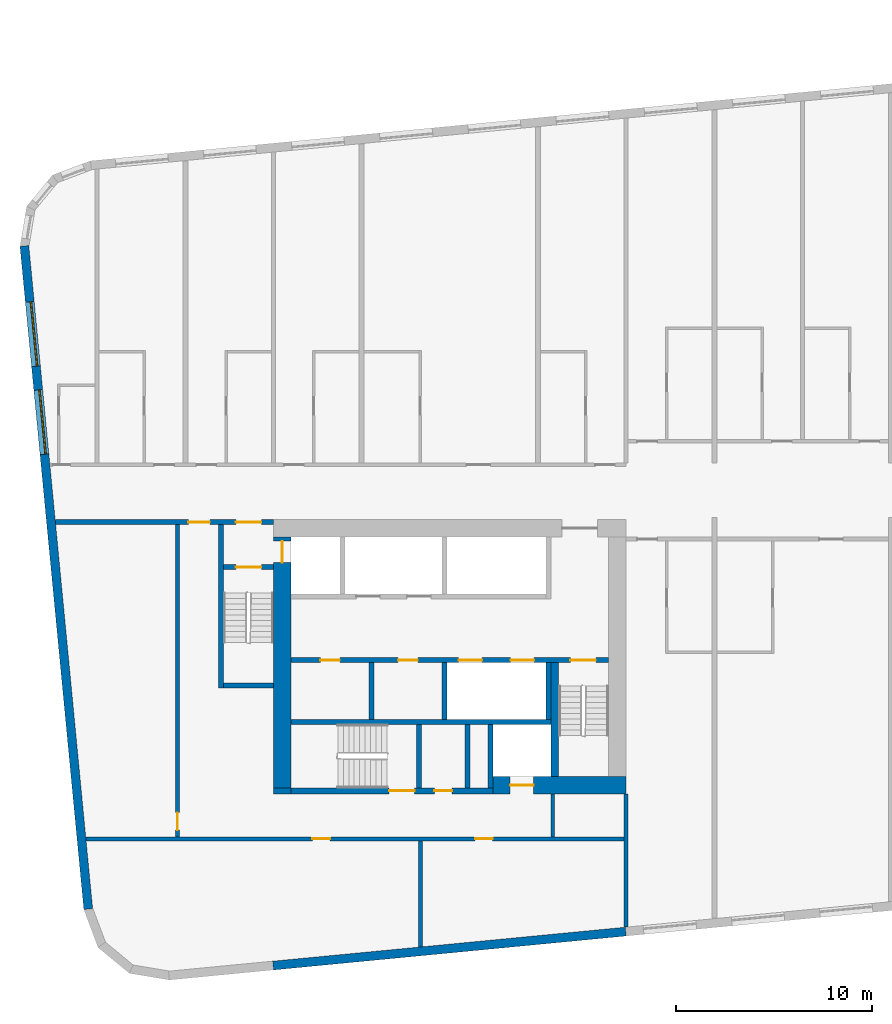
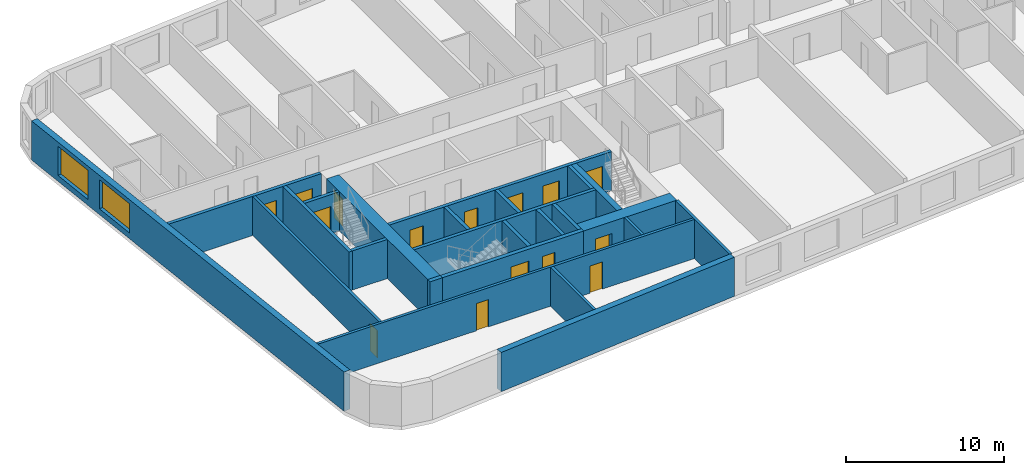
# One storey, part 2 of 12: 24 walls, 15 doors, 2 windows, 17 openings.
"""IFC4 building model written with IfcOpenShell, lengths in metres."""

from ifc_helpers import new_model, si_unit, direction, frame, frame_2d, origin, place, context, subcontext, project, spatial, rectangle, extrude, material, layer, layer_set, type_object, element, fill, save


model = new_model("IFC4")

# Units and contexts
model_context = context("Model", 3, precision=1e-05, world=origin(), true_north=direction((0.0, 1.0)))
body_context = subcontext(model_context, "Body", "Model", "MODEL_VIEW")
ifc_project = project(units=[si_unit("LENGTHUNIT", "METRE"), si_unit("AREAUNIT", "SQUARE_METRE"), si_unit("VOLUMEUNIT", "CUBIC_METRE"), si_unit("PLANEANGLEUNIT", "RADIAN"), si_unit("MASSUNIT", "GRAM", prefix="KILO")], contexts=[model_context])

# Site, building, storey
site_placement = place(None, origin())
site = spatial("IfcSite", under=ifc_project, at=site_placement, CompositionType="ELEMENT")
building_placement = place(site_placement, origin())
building = spatial("IfcBuilding", under=site, at=building_placement, Name="Kajstack Hotel Tower", CompositionType="ELEMENT")
storey_placement = place(building_placement, frame((0.0, 0.0, 170.199951171875)))
storey = spatial("IfcBuildingStorey", under=building, at=storey_placement, Name="L39", CompositionType="ELEMENT", Elevation=170.199951171875)

# Wall, opening, door
ifc_material_1 = material(Name="Concrete C60/75", Category="concrete")
ifc_layer_1 = layer(ifc_material_1, 0.89990234375)
ifc_layer_set_1 = layer_set([ifc_layer_1], Name="Core wall 900")
wall_type_1 = type_object("IfcWallType", Name="Core wall 900", PredefinedType="SHEAR", material=ifc_layer_set_1)
wall_1_placement = place(storey_placement, frame((-20.300048828125, -15.050048828125, 0.0), z_axis=(0.0, 0.0, 1.0), x_axis=(1.0, 0.0, 0.0)))
wall_1 = element("IfcWall", 1, at=wall_1_placement, inside=storey, type_object=wall_type_1, Name="Core wall W RS", PredefinedType="SHEAR", context=body_context, shape_type="SweptSolid", body=[
    extrude(rectangle(XDim=6.800048828125, YDim=0.89990234375, at=frame_2d((3.39990234375, 0.0))), origin(), (0.0, 0.0, 1.0), 3.02001953125),
])
opening_1_placement = place(wall_1_placement, frame((0.875, 0.0, 0.0)))
opening_1 = element("IfcOpeningElement", 2, at=opening_1_placement, cuts=wall_1, Name="Opening LD-SV1", PredefinedType="OPENING", context=body_context, shape_type="SweptSolid", body=[
    extrude(rectangle(XDim=1.199951171875, YDim=2.10009765625, at=frame_2d((0.60009765625, 1.050048828125))), frame((0.0, 0.4599609375, 0.0), z_axis=(0.0, -1.0, 0.0), x_axis=(1.0, 0.0, 0.0)), (0.0, 0.0, 1.0), 0.919921875),
])
ifc_material_2 = material(Name="Stainless steel", Category="steel")
door_type_1 = type_object("IfcDoorType", Name="Lift landing door 1200", OperationType="SLIDING_TO_LEFT", PredefinedType="DOOR", material=ifc_material_2)
door_1_placement = place(opening_1_placement, origin())
door_1 = element("IfcDoor", 3, at=door_1_placement, inside=storey, type_object=door_type_1, Name="Landing door SV1", OperationType="SLIDING_TO_LEFT", OverallHeight=2.10009765625, OverallWidth=1.199951171875, PredefinedType="DOOR", context=body_context, shape_type="SweptSolid", body=[
    extrude(rectangle(XDim=1.199951171875, YDim=2.10009765625, at=frame_2d((0.60009765625, 1.050048828125))), frame((0.0, 0.02490234375, 0.0), z_axis=(0.0, -1.0, 0.0), x_axis=(1.0, 0.0, 0.0)), (0.0, 0.0, 1.0), 0.050048828125),
])
fill(opening_1, door_1)

# Wall
wall_2_placement = place(storey_placement, frame((-31.5, -15.35009765625, 0.0), z_axis=(0.0, 0.0, 1.0), x_axis=(1.0, 0.0, 0.0)))
element("IfcWall", 4, at=wall_2_placement, inside=storey, type_object=wall_type_1, Name="Core wall W RSW", PredefinedType="SHEAR", context=body_context, shape_type="SweptSolid", body=[
    extrude(rectangle(XDim=0.89990234375, YDim=0.300048828125, at=frame_2d((0.449951171875, 0.0))), origin(), (0.0, 0.0, 1.0), 3.02001953125),
])

# Wall, opening, door
wall_3_placement = place(storey_placement, frame((-31.050048828125, -15.199951171875, 0.0), z_axis=(0.0, 0.0, 1.0), x_axis=(0.0, 1.0, 0.0)))
wall_3 = element("IfcWall", 5, at=wall_3_placement, inside=storey, type_object=wall_type_1, Name="Core wall W RW", PredefinedType="SHEAR", context=body_context, shape_type="SweptSolid", body=[
    extrude(rectangle(XDim=12.800048828125, YDim=0.89990234375, at=frame_2d((6.39990234375, 0.0))), origin(), (0.0, 0.0, 1.0), 3.02001953125),
])
opening_2_placement = place(wall_3_placement, frame((11.5, 0.0, 0.0)))
opening_2 = element("IfcOpeningElement", 6, at=opening_2_placement, cuts=wall_3, Name="Opening LD-FF1", PredefinedType="OPENING", context=body_context, shape_type="SweptSolid", body=[
    extrude(rectangle(XDim=1.10009765625, YDim=2.10009765625, at=frame_2d((0.550048828125, 1.050048828125))), frame((0.0, 0.4599609375, 0.0), z_axis=(0.0, -1.0, 0.0), x_axis=(1.0, 0.0, 0.0)), (0.0, 0.0, 1.0), 0.919921875),
])
door_type_2 = type_object("IfcDoorType", Name="Fire-fighting lift landing door 1100", OperationType="SLIDING_TO_LEFT", PredefinedType="DOOR", material=ifc_material_2)
door_2_placement = place(opening_2_placement, origin())
door_2 = element("IfcDoor", 7, at=door_2_placement, inside=storey, type_object=door_type_2, Name="Landing door FF1", OperationType="SLIDING_TO_RIGHT", OverallHeight=2.10009765625, OverallWidth=1.10009765625, PredefinedType="DOOR", context=body_context, shape_type="SweptSolid", body=[
    extrude(rectangle(XDim=1.10009765625, YDim=2.10009765625, at=frame_2d((0.550048828125, 1.050048828125))), frame((0.0, 0.02490234375, 0.0), z_axis=(0.0, -1.0, 0.0), x_axis=(1.0, 0.0, 0.0)), (0.0, 0.0, 1.0), 0.050048828125),
])
fill(opening_2, door_2)

# Walls
ifc_material_3 = material(Name="Twin-frame gypsum board on steel studs, mineral wool", Category="steel")
ifc_layer_2 = layer(ifc_material_3, 0.199951171875)
ifc_layer_set_2 = layer_set([ifc_layer_2], Name="Demising wall 200")
wall_type_2 = type_object("IfcWallType", Name="Demising wall 200", PredefinedType="PARTITIONING", material=ifc_layer_set_2)
wall_4_placement = place(storey_placement, frame((-13.5, -22.300048828125, 0.0), z_axis=(0.0, 0.0, 1.0), x_axis=(0.0, 1.0, 0.0)))
element("IfcWall", 8, at=wall_4_placement, inside=storey, type_object=wall_type_2, Name="G-wall-L39-002", PredefinedType="PARTITIONING", context=body_context, shape_type="SweptSolid", body=[
    extrude(rectangle(XDim=6.800048828125, YDim=0.199951171875, at=frame_2d((3.39990234375, 0.0))), origin(), (0.0, 0.0, 1.0), 3.02001953125),
])
ifc_material_4 = material(Name="Concrete C40/50", Category="concrete")
ifc_layer_3 = layer(ifc_material_4, 0.449951171875)
ifc_layer_set_3 = layer_set([ifc_layer_3], Name="EW-CORE")
wall_type_3 = type_object("IfcWallType", Name="EW-CORE", PredefinedType="SOLIDWALL", material=ifc_layer_set_3)
wall_5_placement = place(storey_placement, frame((-31.521484375, -24.26171875, 0.0), z_axis=(0.0, 0.0, 1.0), x_axis=(0.995396454615, 0.095843091245, 0.0)))
element("IfcWall", 9, at=wall_5_placement, inside=storey, type_object=wall_type_3, Name="E-wall-L39-04-01", PredefinedType="SOLIDWALL", context=body_context, shape_type="SweptSolid", body=[
    extrude(rectangle(XDim=18.083251953125, YDim=0.449951171875, at=frame_2d((9.04150390625, 0.0))), origin(), (0.0, 0.0, 1.0), 3.02001953125),
])

# Wall, openings, windows
ifc_material_5 = material(Name="Terracotta-faced brick masonry", Category="masonry")
ifc_layer_4 = layer(ifc_material_5, 0.449951171875)
ifc_layer_set_4 = layer_set([ifc_layer_4], Name="EW-TERRA")
wall_type_4 = type_object("IfcWallType", Name="EW-TERRA", PredefinedType="SOLIDWALL", material=ifc_layer_set_4)
wall_6_placement = place(storey_placement, frame((-44.21435546875, 12.465576171875, 0.0), z_axis=(0.0, 0.0, 1.0), x_axis=(0.095847314626, -0.995396047952, 0.0)))
wall_6 = element("IfcWall", 10, at=wall_6_placement, inside=storey, type_object=wall_type_4, Name="E-wall-L39-00-00", PredefinedType="SOLIDWALL", context=body_context, shape_type="SweptSolid", body=[
    extrude(rectangle(XDim=33.999755859375, YDim=0.449951171875, at=frame_2d((17.0, 0.0))), origin(), (0.0, 0.0, 1.0), 3.02001953125),
])
opening_3_placement = place(wall_6_placement, frame((2.864990234375, 0.0, 0.449951171875)))
opening_3 = element("IfcOpeningElement", 11, at=opening_3_placement, cuts=wall_6, Name="Opening W2", PredefinedType="OPENING", context=body_context, shape_type="SweptSolid", body=[
    extrude(rectangle(XDim=3.300048828125, YDim=2.25, at=frame_2d((1.64990234375, 1.125))), frame((0.0, 0.23486328125, 0.0), z_axis=(0.0, -1.0, 0.0), x_axis=(1.0, 0.0, 0.0)), (0.0, 0.0, 1.0), 0.469970703125),
])
opening_4_placement = place(wall_6_placement, frame((7.3857421875, 0.0, 0.449951171875)))
opening_4 = element("IfcOpeningElement", 12, at=opening_4_placement, cuts=wall_6, Name="Opening W2", PredefinedType="OPENING", context=body_context, shape_type="SweptSolid", body=[
    extrude(rectangle(XDim=3.300048828125, YDim=2.25, at=frame_2d((1.64990234375, 1.125))), frame((0.0, 0.23486328125, 0.0), z_axis=(0.0, -1.0, 0.0), x_axis=(1.0, 0.0, 0.0)), (0.0, 0.0, 1.0), 0.469970703125),
])
ifc_material_6 = material(Name="Timber-aluminium window, triple glazed", Category="wood")
window_type = type_object("IfcWindowType", Name="WG2", PartitioningType="SINGLE_PANEL", PredefinedType="WINDOW", material=ifc_material_6)
window_1_placement = place(opening_3_placement, origin())
window_1 = element("IfcWindow", 13, at=window_1_placement, inside=storey, type_object=window_type, Name="Window W2 L39-00", OverallHeight=2.25, OverallWidth=3.300048828125, PartitioningType="SINGLE_PANEL", PredefinedType="WINDOW", context=body_context, shape_type="SweptSolid", body=[
    extrude(rectangle(XDim=3.300048828125, YDim=2.25, at=frame_2d((1.64990234375, 1.125))), frame((0.0, 0.090087890625, 0.0), z_axis=(0.0, -1.0, 0.0), x_axis=(1.0, 0.0, 0.0)), (0.0, 0.0, 1.0), 0.06005859375),
])
fill(opening_3, window_1)
window_2_placement = place(opening_4_placement, origin())
window_2 = element("IfcWindow", 14, at=window_2_placement, inside=storey, type_object=window_type, Name="Window W2 L39-00", OverallHeight=2.25, OverallWidth=3.300048828125, PartitioningType="SINGLE_PANEL", PredefinedType="WINDOW", context=body_context, shape_type="SweptSolid", body=[
    extrude(rectangle(XDim=3.300048828125, YDim=2.25, at=frame_2d((1.64990234375, 1.125))), frame((0.0, 0.090087890625, 0.0), z_axis=(0.0, -1.0, 0.0), x_axis=(1.0, 0.0, 0.0)), (0.0, 0.0, 1.0), 0.06005859375),
])
fill(opening_4, window_2)

# Walls
ifc_material_7 = material(Name="Concrete C50/60", Category="concrete")
ifc_layer_5 = layer(ifc_material_7, 0.300048828125)
ifc_layer_set_5 = layer_set([ifc_layer_5], Name="Hoistway divider wall 300")
wall_type_5 = type_object("IfcWallType", Name="Hoistway divider wall 300", PredefinedType="SHEAR", material=ifc_layer_set_5)
wall_7_placement = place(storey_placement, frame((-22.77490234375, -11.699951171875, 0.0), z_axis=(0.0, 0.0, 1.0), x_axis=(0.0, 1.0, 0.0)))
element("IfcWall", 15, at=wall_7_placement, inside=storey, type_object=wall_type_5, Name="Core wall W BP2", PredefinedType="SHEAR", context=body_context, shape_type="SweptSolid", body=[
    extrude(rectangle(XDim=2.89990234375, YDim=0.25, at=frame_2d((1.449951171875, 0.0))), origin(), (0.0, 0.0, 1.0), 3.02001953125),
])
ifc_material_8 = material(Name="Concrete block masonry", Category="masonry")
ifc_layer_6 = layer(ifc_material_8, 0.25)
ifc_layer_set_6 = layer_set([ifc_layer_6], Name="Riser partition 250")
wall_type_6 = type_object("IfcWallType", Name="Riser partition 250", PredefinedType="PARTITIONING", material=ifc_layer_set_6)
wall_8_placement = place(storey_placement, frame((-26.5, -11.699951171875, 0.0), z_axis=(0.0, 0.0, 1.0), x_axis=(0.0, 1.0, 0.0)))
element("IfcWall", 16, at=wall_8_placement, inside=storey, type_object=wall_type_6, Name="Partition W BF0", PredefinedType="PARTITIONING", context=body_context, shape_type="SweptSolid", body=[
    extrude(rectangle(XDim=2.89990234375, YDim=0.25, at=frame_2d((1.449951171875, 0.0))), origin(), (0.0, 0.0, 1.0), 3.02001953125),
])
wall_9_placement = place(storey_placement, frame((-21.60009765625, -15.199951171875, 0.0), z_axis=(0.0, 0.0, 1.0), x_axis=(0.0, 1.0, 0.0)))
element("IfcWall", 17, at=wall_9_placement, inside=storey, type_object=wall_type_6, Name="Partition W SZ0", PredefinedType="PARTITIONING", context=body_context, shape_type="SweptSolid", body=[
    extrude(rectangle(XDim=3.25, YDim=0.25, at=frame_2d((1.625, 0.0))), origin(), (0.0, 0.0, 1.0), 3.02001953125),
])

# Wall, openings, doors
ifc_material_9 = material(Name="Gypsum board on steel studs, mineral wool", Category="steel")
ifc_layer_7 = layer(ifc_material_9, 0.199951171875)
ifc_layer_set_7 = layer_set([ifc_layer_7], Name="Service partition 200")
wall_type_7 = type_object("IfcWallType", Name="Service partition 200", PredefinedType="PARTITIONING", material=ifc_layer_set_7)
wall_10_placement = place(storey_placement, frame((-42.631591796875, -1.625, 0.0), z_axis=(0.0, 0.0, 1.0), x_axis=(1.0, 0.0, 0.0)))
wall_10 = element("IfcWall", 18, at=wall_10_placement, inside=storey, type_object=wall_type_7, Name="Partition W SN", PredefinedType="PARTITIONING", context=body_context, shape_type="SweptSolid", body=[
    extrude(rectangle(XDim=11.131591796875, YDim=0.25, at=frame_2d((5.56591796875, 0.0))), origin(), (0.0, 0.0, 1.0), 3.02001953125),
])
opening_5_placement = place(wall_10_placement, frame((9.20654296875, 0.0, 0.0)))
opening_5 = element("IfcOpeningElement", 19, at=opening_5_placement, cuts=wall_10, Name="Opening 39W08", PredefinedType="OPENING", context=body_context, shape_type="SweptSolid", body=[
    extrude(rectangle(XDim=1.300048828125, YDim=2.10009765625, at=frame_2d((0.64990234375, 1.050048828125))), frame((0.0, 0.135009765625, 0.0), z_axis=(0.0, -1.0, 0.0), x_axis=(1.0, 0.0, 0.0)), (0.0, 0.0, 1.0), 0.27001953125),
])
opening_6_placement = place(wall_10_placement, frame((6.781494140625, 0.0, 0.0)))
opening_6 = element("IfcOpeningElement", 20, at=opening_6_placement, cuts=wall_10, Name="Opening 39W10", PredefinedType="OPENING", context=body_context, shape_type="SweptSolid", body=[
    extrude(rectangle(XDim=1.10009765625, YDim=2.10009765625, at=frame_2d((0.550048828125, 1.050048828125))), frame((0.0, 0.135009765625, 0.0), z_axis=(0.0, -1.0, 0.0), x_axis=(1.0, 0.0, 0.0)), (0.0, 0.0, 1.0), 0.27001953125),
])
ifc_material_10 = material(Name="Steel leaf, fire-rated", Category="steel")
door_type_3 = type_object("IfcDoorType", Name="Fire lobby door 1300", OperationType="SINGLE_SWING_LEFT", PredefinedType="DOOR", material=ifc_material_10)
door_3_placement = place(opening_5_placement, origin())
door_3 = element("IfcDoor", 21, at=door_3_placement, inside=storey, type_object=door_type_3, Name="Door 39W08", OperationType="SINGLE_SWING_RIGHT", OverallHeight=2.10009765625, OverallWidth=1.300048828125, PredefinedType="DOOR", context=body_context, shape_type="SweptSolid", body=[
    extrude(rectangle(XDim=1.300048828125, YDim=2.10009765625, at=frame_2d((0.64990234375, 1.050048828125))), frame((0.0, 0.02490234375, 0.0), z_axis=(0.0, -1.0, 0.0), x_axis=(1.0, 0.0, 0.0)), (0.0, 0.0, 1.0), 0.050048828125),
])
fill(opening_5, door_3)
ifc_material_11 = material(Name="Timber leaf, fire-rated", Category="wood")
door_type_4 = type_object("IfcDoorType", Name="Service corridor door 1100", OperationType="SINGLE_SWING_LEFT", PredefinedType="DOOR", material=ifc_material_11)
door_4_placement = place(opening_6_placement, origin())
door_4 = element("IfcDoor", 22, at=door_4_placement, inside=storey, type_object=door_type_4, Name="Door 39W10", OperationType="SINGLE_SWING_RIGHT", OverallHeight=2.10009765625, OverallWidth=1.10009765625, PredefinedType="DOOR", context=body_context, shape_type="SweptSolid", body=[
    extrude(rectangle(XDim=1.10009765625, YDim=2.10009765625, at=frame_2d((0.550048828125, 1.050048828125))), frame((0.0, 0.02490234375, 0.0), z_axis=(0.0, -1.0, 0.0), x_axis=(1.0, 0.0, 0.0)), (0.0, 0.0, 1.0), 0.050048828125),
])
fill(opening_6, door_4)

# Wall
wall_11_placement = place(storey_placement, frame((-17.25, -17.699951171875, 0.0), z_axis=(0.0, 0.0, 1.0), x_axis=(0.0, 1.0, 0.0)))
element("IfcWall", 23, at=wall_11_placement, inside=storey, type_object=wall_type_7, Name="Partition W SCE", PredefinedType="PARTITIONING", context=body_context, shape_type="SweptSolid", body=[
    extrude(rectangle(XDim=2.199951171875, YDim=0.199951171875, at=frame_2d((1.10009765625, 0.0))), origin(), (0.0, 0.0, 1.0), 3.02001953125),
])

# Wall, opening, door
wall_12_placement = place(storey_placement, frame((-36.39990234375, -17.699951171875, 0.0), z_axis=(0.0, 0.0, 1.0), x_axis=(0.0, 1.0, 0.0)))
wall_12 = element("IfcWall", 24, at=wall_12_placement, inside=storey, type_object=wall_type_7, Name="Partition W WRE", PredefinedType="PARTITIONING", context=body_context, shape_type="SweptSolid", body=[
    extrude(rectangle(XDim=15.949951171875, YDim=0.199951171875, at=frame_2d((7.97509765625, 0.0))), origin(), (0.0, 0.0, 1.0), 3.02001953125),
])
opening_7_placement = place(wall_12_placement, frame((0.35009765625, 0.0, 0.0)))
opening_7 = element("IfcOpeningElement", 25, at=opening_7_placement, cuts=wall_12, Name="Opening 39W18", PredefinedType="OPENING", context=body_context, shape_type="SweptSolid", body=[
    extrude(rectangle(XDim=0.89990234375, YDim=2.10009765625, at=frame_2d((0.449951171875, 1.050048828125))), frame((0.0, 0.10986328125, 0.0), z_axis=(0.0, -1.0, 0.0), x_axis=(1.0, 0.0, 0.0)), (0.0, 0.0, 1.0), 0.219970703125),
])
door_type_5 = type_object("IfcDoorType", Name="Service door 900", OperationType="SINGLE_SWING_LEFT", PredefinedType="DOOR", material=ifc_material_11)
door_5_placement = place(opening_7_placement, origin())
door_5 = element("IfcDoor", 26, at=door_5_placement, inside=storey, type_object=door_type_5, Name="Door 39W18", OperationType="SINGLE_SWING_LEFT", OverallHeight=2.10009765625, OverallWidth=0.89990234375, PredefinedType="DOOR", context=body_context, shape_type="SweptSolid", body=[
    extrude(rectangle(XDim=0.89990234375, YDim=2.10009765625, at=frame_2d((0.449951171875, 1.050048828125))), frame((0.0, 0.02490234375, 0.0), z_axis=(0.0, -1.0, 0.0), x_axis=(1.0, 0.0, 0.0)), (0.0, 0.0, 1.0), 0.050048828125),
])
fill(opening_7, door_5)

# Wall, openings, doors
wall_13_placement = place(storey_placement, frame((-41.07421875, -17.800048828125, 0.0), z_axis=(0.0, 0.0, 1.0), x_axis=(1.0, 0.0, 0.0)))
wall_13 = element("IfcWall", 27, at=wall_13_placement, inside=storey, type_object=wall_type_7, Name="Partition W SLN", PredefinedType="PARTITIONING", context=body_context, shape_type="SweptSolid", body=[
    extrude(rectangle(XDim=27.47412109375, YDim=0.199951171875, at=frame_2d((13.737060546875, 0.0))), origin(), (0.0, 0.0, 1.0), 3.02001953125),
])
opening_8_placement = place(wall_13_placement, frame((11.5615234375, 0.0, 0.0)))
opening_8 = element("IfcOpeningElement", 28, at=opening_8_placement, cuts=wall_13, Name="Opening 39W16", PredefinedType="OPENING", context=body_context, shape_type="SweptSolid", body=[
    extrude(rectangle(XDim=0.89990234375, YDim=2.10009765625, at=frame_2d((0.449951171875, 1.050048828125))), frame((0.0, 0.10986328125, 0.0), z_axis=(0.0, -1.0, 0.0), x_axis=(1.0, 0.0, 0.0)), (0.0, 0.0, 1.0), 0.219970703125),
])
opening_9_placement = place(wall_13_placement, frame((19.861572265625, 0.0, 0.0)))
opening_9 = element("IfcOpeningElement", 29, at=opening_9_placement, cuts=wall_13, Name="Opening 39W17", PredefinedType="OPENING", context=body_context, shape_type="SweptSolid", body=[
    extrude(rectangle(XDim=0.89990234375, YDim=2.10009765625, at=frame_2d((0.449951171875, 1.050048828125))), frame((0.0, 0.10986328125, 0.0), z_axis=(0.0, -1.0, 0.0), x_axis=(1.0, 0.0, 0.0)), (0.0, 0.0, 1.0), 0.219970703125),
])
door_6_placement = place(opening_8_placement, origin())
door_6 = element("IfcDoor", 30, at=door_6_placement, inside=storey, type_object=door_type_5, Name="Door 39W16", OperationType="SINGLE_SWING_RIGHT", OverallHeight=2.10009765625, OverallWidth=0.89990234375, PredefinedType="DOOR", context=body_context, shape_type="SweptSolid", body=[
    extrude(rectangle(XDim=0.89990234375, YDim=2.10009765625, at=frame_2d((0.449951171875, 1.050048828125))), frame((0.0, 0.02490234375, 0.0), z_axis=(0.0, -1.0, 0.0), x_axis=(1.0, 0.0, 0.0)), (0.0, 0.0, 1.0), 0.050048828125),
])
fill(opening_8, door_6)
door_7_placement = place(opening_9_placement, origin())
door_7 = element("IfcDoor", 31, at=door_7_placement, inside=storey, type_object=door_type_5, Name="Door 39W17", OperationType="SINGLE_SWING_RIGHT", OverallHeight=2.10009765625, OverallWidth=0.89990234375, PredefinedType="DOOR", context=body_context, shape_type="SweptSolid", body=[
    extrude(rectangle(XDim=0.89990234375, YDim=2.10009765625, at=frame_2d((0.449951171875, 1.050048828125))), frame((0.0, 0.02490234375, 0.0), z_axis=(0.0, -1.0, 0.0), x_axis=(1.0, 0.0, 0.0)), (0.0, 0.0, 1.0), 0.050048828125),
])
fill(opening_9, door_7)

# Wall
wall_14_placement = place(storey_placement, frame((-24.0, -23.3125, 0.0), z_axis=(0.0, 0.0, 1.0), x_axis=(0.0, 1.0, 0.0)))
element("IfcWall", 32, at=wall_14_placement, inside=storey, type_object=wall_type_7, Name="Partition W SLP0", PredefinedType="PARTITIONING", context=body_context, shape_type="SweptSolid", body=[
    extrude(rectangle(XDim=5.41259765625, YDim=0.199951171875, at=frame_2d((2.706298828125, 0.0))), origin(), (0.0, 0.0, 1.0), 3.02001953125),
])

# Wall, openings, doors
ifc_layer_8 = layer(ifc_material_7, 0.25)
ifc_layer_set_8 = layer_set([ifc_layer_8], Name="Shaft wall 250")
wall_type_8 = type_object("IfcWallType", Name="Shaft wall 250", PredefinedType="SHEAR", material=ifc_layer_set_8)
wall_15_placement = place(storey_placement, frame((-30.60009765625, -15.35009765625, 0.0), z_axis=(0.0, 0.0, 1.0), x_axis=(1.0, 0.0, 0.0)))
wall_15 = element("IfcWall", 33, at=wall_15_placement, inside=storey, type_object=wall_type_8, Name="Core wall W RSS", PredefinedType="SHEAR", context=body_context, shape_type="SweptSolid", body=[
    extrude(rectangle(XDim=10.300048828125, YDim=0.300048828125, at=frame_2d((5.14990234375, 0.0))), origin(), (0.0, 0.0, 1.0), 3.02001953125),
])
opening_10_placement = place(wall_15_placement, frame((5.0, 0.0, 0.0)))
opening_10 = element("IfcOpeningElement", 34, at=opening_10_placement, cuts=wall_15, Name="Opening 39W12", PredefinedType="OPENING", context=body_context, shape_type="SweptSolid", body=[
    extrude(rectangle(XDim=1.300048828125, YDim=2.10009765625, at=frame_2d((0.64990234375, 1.050048828125))), frame((0.0, 0.159912109375, 0.0), z_axis=(0.0, -1.0, 0.0), x_axis=(1.0, 0.0, 0.0)), (0.0, 0.0, 1.0), 0.320068359375),
])
opening_11_placement = place(wall_15_placement, frame((7.3125, 0.0, 0.0)))
opening_11 = element("IfcOpeningElement", 35, at=opening_11_placement, cuts=wall_15, Name="Opening 39W13", PredefinedType="OPENING", context=body_context, shape_type="SweptSolid", body=[
    extrude(rectangle(XDim=0.89990234375, YDim=2.10009765625, at=frame_2d((0.449951171875, 1.050048828125))), frame((0.0, 0.159912109375, 0.0), z_axis=(0.0, -1.0, 0.0), x_axis=(1.0, 0.0, 0.0)), (0.0, 0.0, 1.0), 0.320068359375),
])
door_8_placement = place(opening_11_placement, origin())
door_8 = element("IfcDoor", 36, at=door_8_placement, inside=storey, type_object=door_type_5, Name="Door 39W13", OperationType="SINGLE_SWING_LEFT", OverallHeight=2.10009765625, OverallWidth=0.89990234375, PredefinedType="DOOR", context=body_context, shape_type="SweptSolid", body=[
    extrude(rectangle(XDim=0.89990234375, YDim=2.10009765625, at=frame_2d((0.449951171875, 1.050048828125))), frame((0.0, 0.02490234375, 0.0), z_axis=(0.0, -1.0, 0.0), x_axis=(1.0, 0.0, 0.0)), (0.0, 0.0, 1.0), 0.050048828125),
])
fill(opening_11, door_8)
door_type_6 = type_object("IfcDoorType", Name="Stair door 1300", OperationType="SINGLE_SWING_LEFT", PredefinedType="DOOR", material=ifc_material_10)
door_9_placement = place(opening_10_placement, origin())
door_9 = element("IfcDoor", 37, at=door_9_placement, inside=storey, type_object=door_type_6, Name="Door 39W12", OperationType="SINGLE_SWING_RIGHT", OverallHeight=2.10009765625, OverallWidth=1.300048828125, PredefinedType="DOOR", context=body_context, shape_type="SweptSolid", body=[
    extrude(rectangle(XDim=1.300048828125, YDim=2.10009765625, at=frame_2d((0.64990234375, 1.050048828125))), frame((0.0, 0.02490234375, 0.0), z_axis=(0.0, -1.0, 0.0), x_axis=(1.0, 0.0, 0.0)), (0.0, 0.0, 1.0), 0.050048828125),
])
fill(opening_10, door_9)

wall_16_placement = place(storey_placement, frame((-30.60009765625, -8.675048828125, 0.0), z_axis=(0.0, 0.0, 1.0), x_axis=(1.0, 0.0, 0.0)))
wall_16 = element("IfcWall", 38, at=wall_16_placement, inside=storey, type_object=wall_type_8, Name="Core wall W FB", PredefinedType="SHEAR", context=body_context, shape_type="SweptSolid", body=[
    extrude(rectangle(XDim=16.2001953125, YDim=0.25, at=frame_2d((8.10009765625, 0.0))), origin(), (0.0, 0.0, 1.0), 3.02001953125),
])
opening_12_placement = place(wall_16_placement, frame((8.550048828125, 0.0, 0.0)))
opening_12 = element("IfcOpeningElement", 39, at=opening_12_placement, cuts=wall_16, Name="Opening LD-MR1", PredefinedType="OPENING", context=body_context, shape_type="SweptSolid", body=[
    extrude(rectangle(XDim=1.199951171875, YDim=2.10009765625, at=frame_2d((0.60009765625, 1.050048828125))), frame((0.0, 0.135009765625, 0.0), z_axis=(0.0, -1.0, 0.0), x_axis=(1.0, 0.0, 0.0)), (0.0, 0.0, 1.0), 0.27001953125),
])
opening_13_placement = place(wall_16_placement, frame((11.199951171875, 0.0, 0.0)))
opening_13 = element("IfcOpeningElement", 40, at=opening_13_placement, cuts=wall_16, Name="Opening LD-MR2", PredefinedType="OPENING", context=body_context, shape_type="SweptSolid", body=[
    extrude(rectangle(XDim=1.199951171875, YDim=2.10009765625, at=frame_2d((0.60009765625, 1.050048828125))), frame((0.0, 0.135009765625, 0.0), z_axis=(0.0, -1.0, 0.0), x_axis=(1.0, 0.0, 0.0)), (0.0, 0.0, 1.0), 0.27001953125),
])
opening_14_placement = place(wall_16_placement, frame((14.25, 0.0, 0.0)))
opening_14 = element("IfcOpeningElement", 41, at=opening_14_placement, cuts=wall_16, Name="Opening 39W11", PredefinedType="OPENING", context=body_context, shape_type="SweptSolid", body=[
    extrude(rectangle(XDim=1.300048828125, YDim=2.10009765625, at=frame_2d((0.64990234375, 1.050048828125))), frame((0.0, 0.135009765625, 0.0), z_axis=(0.0, -1.0, 0.0), x_axis=(1.0, 0.0, 0.0)), (0.0, 0.0, 1.0), 0.27001953125),
])
opening_15_placement = place(wall_16_placement, frame((1.487548828125, 0.0, 0.0)))
opening_15 = element("IfcOpeningElement", 42, at=opening_15_placement, cuts=wall_16, Name="Opening 39W14", PredefinedType="OPENING", context=body_context, shape_type="SweptSolid", body=[
    extrude(rectangle(XDim=1.0, YDim=2.10009765625, at=frame_2d((0.5, 1.050048828125))), frame((0.0, 0.135009765625, 0.0), z_axis=(0.0, -1.0, 0.0), x_axis=(1.0, 0.0, 0.0)), (0.0, 0.0, 1.0), 0.27001953125),
])
opening_16_placement = place(wall_16_placement, frame((5.46240234375, 0.0, 0.0)))
opening_16 = element("IfcOpeningElement", 43, at=opening_16_placement, cuts=wall_16, Name="Opening 39W15", PredefinedType="OPENING", context=body_context, shape_type="SweptSolid", body=[
    extrude(rectangle(XDim=1.0, YDim=2.10009765625, at=frame_2d((0.5, 1.050048828125))), frame((0.0, 0.135009765625, 0.0), z_axis=(0.0, -1.0, 0.0), x_axis=(1.0, 0.0, 0.0)), (0.0, 0.0, 1.0), 0.27001953125),
])
door_10_placement = place(opening_12_placement, origin())
door_10 = element("IfcDoor", 44, at=door_10_placement, inside=storey, type_object=door_type_1, Name="Landing door MR1", OperationType="SLIDING_TO_LEFT", OverallHeight=2.10009765625, OverallWidth=1.199951171875, PredefinedType="DOOR", context=body_context, shape_type="SweptSolid", body=[
    extrude(rectangle(XDim=1.199951171875, YDim=2.10009765625, at=frame_2d((0.60009765625, 1.050048828125))), frame((0.0, 0.02490234375, 0.0), z_axis=(0.0, -1.0, 0.0), x_axis=(1.0, 0.0, 0.0)), (0.0, 0.0, 1.0), 0.050048828125),
])
fill(opening_12, door_10)
door_11_placement = place(opening_13_placement, origin())
door_11 = element("IfcDoor", 45, at=door_11_placement, inside=storey, type_object=door_type_1, Name="Landing door MR2", OperationType="SLIDING_TO_RIGHT", OverallHeight=2.10009765625, OverallWidth=1.199951171875, PredefinedType="DOOR", context=body_context, shape_type="SweptSolid", body=[
    extrude(rectangle(XDim=1.199951171875, YDim=2.10009765625, at=frame_2d((0.60009765625, 1.050048828125))), frame((0.0, 0.02490234375, 0.0), z_axis=(0.0, -1.0, 0.0), x_axis=(1.0, 0.0, 0.0)), (0.0, 0.0, 1.0), 0.050048828125),
])
fill(opening_13, door_11)
door_type_7 = type_object("IfcDoorType", Name="Service room door 1000", OperationType="SINGLE_SWING_LEFT", PredefinedType="DOOR", material=ifc_material_11)
door_12_placement = place(opening_15_placement, origin())
door_12 = element("IfcDoor", 46, at=door_12_placement, inside=storey, type_object=door_type_7, Name="Door 39W14", OperationType="SINGLE_SWING_RIGHT", OverallHeight=2.10009765625, OverallWidth=1.0, PredefinedType="DOOR", context=body_context, shape_type="SweptSolid", body=[
    extrude(rectangle(XDim=1.0, YDim=2.10009765625, at=frame_2d((0.5, 1.050048828125))), frame((0.0, 0.02490234375, 0.0), z_axis=(0.0, -1.0, 0.0), x_axis=(1.0, 0.0, 0.0)), (0.0, 0.0, 1.0), 0.050048828125),
])
fill(opening_15, door_12)
door_13_placement = place(opening_16_placement, origin())
door_13 = element("IfcDoor", 47, at=door_13_placement, inside=storey, type_object=door_type_7, Name="Door 39W15", OperationType="SINGLE_SWING_RIGHT", OverallHeight=2.10009765625, OverallWidth=1.0, PredefinedType="DOOR", context=body_context, shape_type="SweptSolid", body=[
    extrude(rectangle(XDim=1.0, YDim=2.10009765625, at=frame_2d((0.5, 1.050048828125))), frame((0.0, 0.02490234375, 0.0), z_axis=(0.0, -1.0, 0.0), x_axis=(1.0, 0.0, 0.0)), (0.0, 0.0, 1.0), 0.050048828125),
])
fill(opening_16, door_13)
door_14_placement = place(opening_14_placement, origin())
door_14 = element("IfcDoor", 48, at=door_14_placement, inside=storey, type_object=door_type_6, Name="Door 39W11", OperationType="SINGLE_SWING_RIGHT", OverallHeight=2.10009765625, OverallWidth=1.300048828125, PredefinedType="DOOR", context=body_context, shape_type="SweptSolid", body=[
    extrude(rectangle(XDim=1.300048828125, YDim=2.10009765625, at=frame_2d((0.64990234375, 1.050048828125))), frame((0.0, 0.02490234375, 0.0), z_axis=(0.0, -1.0, 0.0), x_axis=(1.0, 0.0, 0.0)), (0.0, 0.0, 1.0), 0.050048828125),
])
fill(opening_14, door_14)

# Walls
wall_17_placement = place(storey_placement, frame((-30.60009765625, -11.824951171875, 0.0), z_axis=(0.0, 0.0, 1.0), x_axis=(1.0, 0.0, 0.0)))
element("IfcWall", 49, at=wall_17_placement, inside=storey, type_object=wall_type_8, Name="Core wall W RB", PredefinedType="SHEAR", context=body_context, shape_type="SweptSolid", body=[
    extrude(rectangle(XDim=13.25, YDim=0.25, at=frame_2d((6.625, 0.0))), origin(), (0.0, 0.0, 1.0), 3.02001953125),
])
wall_18_placement = place(storey_placement, frame((-17.47509765625, -11.699951171875, 0.0), z_axis=(0.0, 0.0, 1.0), x_axis=(0.0, 1.0, 0.0)))
element("IfcWall", 50, at=wall_18_placement, inside=storey, type_object=wall_type_8, Name="Core wall W BE", PredefinedType="SHEAR", context=body_context, shape_type="SweptSolid", body=[
    extrude(rectangle(XDim=2.89990234375, YDim=0.25, at=frame_2d((1.449951171875, 0.0))), origin(), (0.0, 0.0, 1.0), 3.02001953125),
])
wall_19_placement = place(storey_placement, frame((-20.425048828125, -15.199951171875, 0.0), z_axis=(0.0, 0.0, 1.0), x_axis=(0.0, 1.0, 0.0)))
element("IfcWall", 51, at=wall_19_placement, inside=storey, type_object=wall_type_8, Name="Core wall W SVW", PredefinedType="SHEAR", context=body_context, shape_type="SweptSolid", body=[
    extrude(rectangle(XDim=3.25, YDim=0.25, at=frame_2d((1.625, 0.0))), origin(), (0.0, 0.0, 1.0), 3.02001953125),
])

# Wall, opening, door
ifc_layer_9 = layer(ifc_material_4, 0.25)
ifc_layer_set_9 = layer_set([ifc_layer_9], Name="Stair enclosure wall 250")
wall_type_9 = type_object("IfcWallType", Name="Stair enclosure wall 250", PredefinedType="SHEAR", material=ifc_layer_set_9)
wall_20_placement = place(storey_placement, frame((-34.050048828125, -3.925048828125, 0.0), z_axis=(0.0, 0.0, 1.0), x_axis=(1.0, 0.0, 0.0)))
wall_20 = element("IfcWall", 52, at=wall_20_placement, inside=storey, type_object=wall_type_9, Name="Core wall W W1N", PredefinedType="SHEAR", context=body_context, shape_type="SweptSolid", body=[
    extrude(rectangle(XDim=2.550048828125, YDim=0.25, at=frame_2d((1.27490234375, 0.0))), origin(), (0.0, 0.0, 1.0), 3.02001953125),
])
opening_17_placement = place(wall_20_placement, frame((0.625, 0.0, 0.0)))
opening_17 = element("IfcOpeningElement", 53, at=opening_17_placement, cuts=wall_20, Name="Opening 39W09", PredefinedType="OPENING", context=body_context, shape_type="SweptSolid", body=[
    extrude(rectangle(XDim=1.300048828125, YDim=2.10009765625, at=frame_2d((0.64990234375, 1.050048828125))), frame((0.0, 0.135009765625, 0.0), z_axis=(0.0, -1.0, 0.0), x_axis=(1.0, 0.0, 0.0)), (0.0, 0.0, 1.0), 0.27001953125),
])
door_15_placement = place(opening_17_placement, origin())
door_15 = element("IfcDoor", 54, at=door_15_placement, inside=storey, type_object=door_type_6, Name="Door 39W09", OperationType="SINGLE_SWING_RIGHT", OverallHeight=2.10009765625, OverallWidth=1.300048828125, PredefinedType="DOOR", context=body_context, shape_type="SweptSolid", body=[
    extrude(rectangle(XDim=1.300048828125, YDim=2.10009765625, at=frame_2d((0.64990234375, 1.050048828125))), frame((0.0, 0.02490234375, 0.0), z_axis=(0.0, -1.0, 0.0), x_axis=(1.0, 0.0, 0.0)), (0.0, 0.0, 1.0), 0.050048828125),
])
fill(opening_17, door_15)

# Walls
wall_21_placement = place(storey_placement, frame((-34.175048828125, -10.10009765625, 0.0), z_axis=(0.0, 0.0, 1.0), x_axis=(0.0, 1.0, 0.0)))
element("IfcWall", 55, at=wall_21_placement, inside=storey, type_object=wall_type_9, Name="Core wall W W1W", PredefinedType="SHEAR", context=body_context, shape_type="SweptSolid", body=[
    extrude(rectangle(XDim=8.35009765625, YDim=0.25, at=frame_2d((4.175048828125, 0.0))), origin(), (0.0, 0.0, 1.0), 3.02001953125),
])
wall_22_placement = place(storey_placement, frame((-34.050048828125, -9.97509765625, 0.0), z_axis=(0.0, 0.0, 1.0), x_axis=(1.0, 0.0, 0.0)))
element("IfcWall", 56, at=wall_22_placement, inside=storey, type_object=wall_type_9, Name="Core wall W W1S", PredefinedType="SHEAR", context=body_context, shape_type="SweptSolid", body=[
    extrude(rectangle(XDim=2.550048828125, YDim=0.25, at=frame_2d((1.27490234375, 0.0))), origin(), (0.0, 0.0, 1.0), 3.02001953125),
])
ifc_layer_10 = layer(ifc_material_7, 0.35009765625)
ifc_layer_set_10 = layer_set([ifc_layer_10], Name="Stair enclosure wall 350")
wall_type_10 = type_object("IfcWallType", Name="Stair enclosure wall 350", PredefinedType="SHEAR", material=ifc_layer_set_10)
wall_23_placement = place(storey_placement, frame((-24.074951171875, -15.199951171875, 0.0), z_axis=(0.0, 0.0, 1.0), x_axis=(0.0, 1.0, 0.0)))
element("IfcWall", 57, at=wall_23_placement, inside=storey, type_object=wall_type_10, Name="Core wall W W3E", PredefinedType="SHEAR", context=body_context, shape_type="SweptSolid", body=[
    extrude(rectangle(XDim=3.25, YDim=0.25, at=frame_2d((1.625, 0.0))), origin(), (0.0, 0.0, 1.0), 3.02001953125),
])
ifc_layer_11 = layer(ifc_material_7, 0.39990234375)
ifc_layer_set_11 = layer_set([ifc_layer_11], Name="Stair wall 400")
wall_type_11 = type_object("IfcWallType", Name="Stair wall 400", PredefinedType="SHEAR", material=ifc_layer_set_11)
wall_24_placement = place(storey_placement, frame((-17.14990234375, -14.60009765625, 0.0), z_axis=(0.0, 0.0, 1.0), x_axis=(0.0, 1.0, 0.0)))
element("IfcWall", 58, at=wall_24_placement, inside=storey, type_object=wall_type_11, Name="Core wall W WW2", PredefinedType="SHEAR", context=body_context, shape_type="SweptSolid", body=[
    extrude(rectangle(XDim=5.800048828125, YDim=0.39990234375, at=frame_2d((2.89990234375, 0.0))), origin(), (0.0, 0.0, 1.0), 3.02001953125),
])

save(model, "model.ifc")
